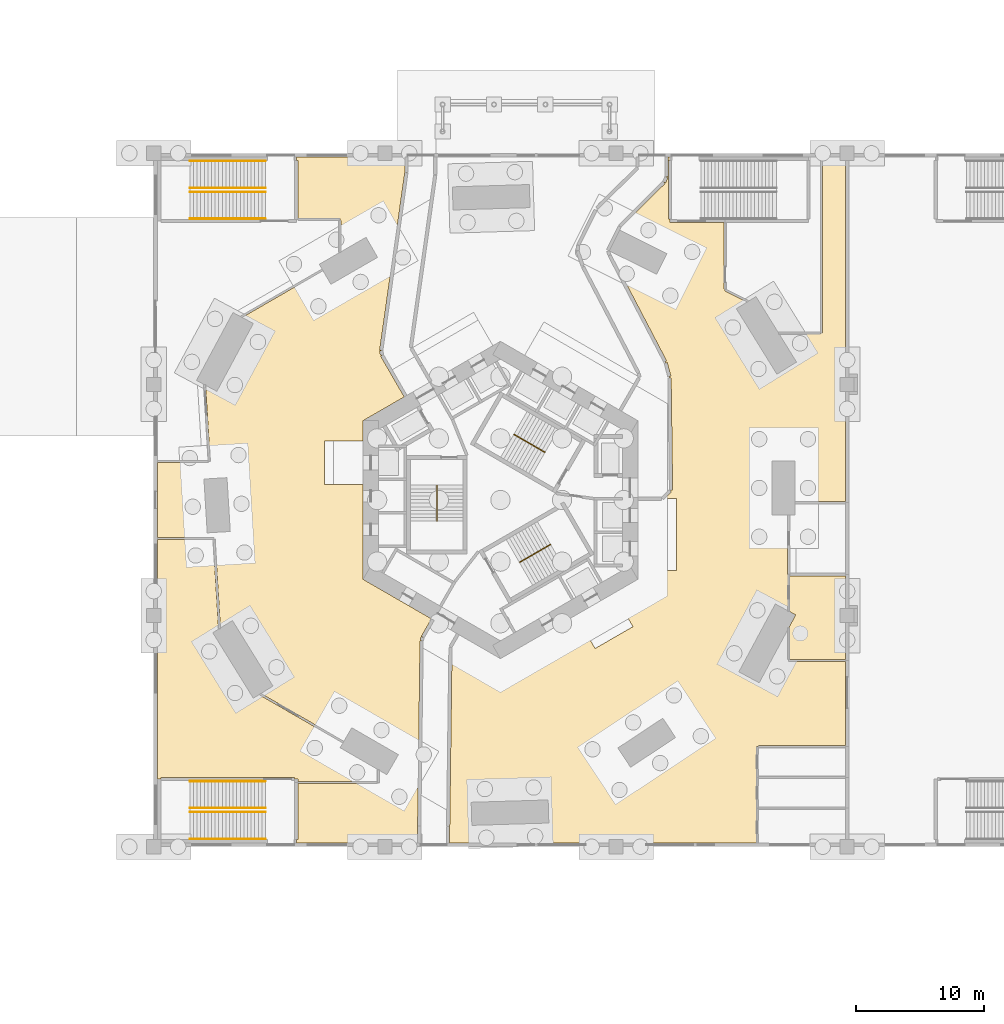
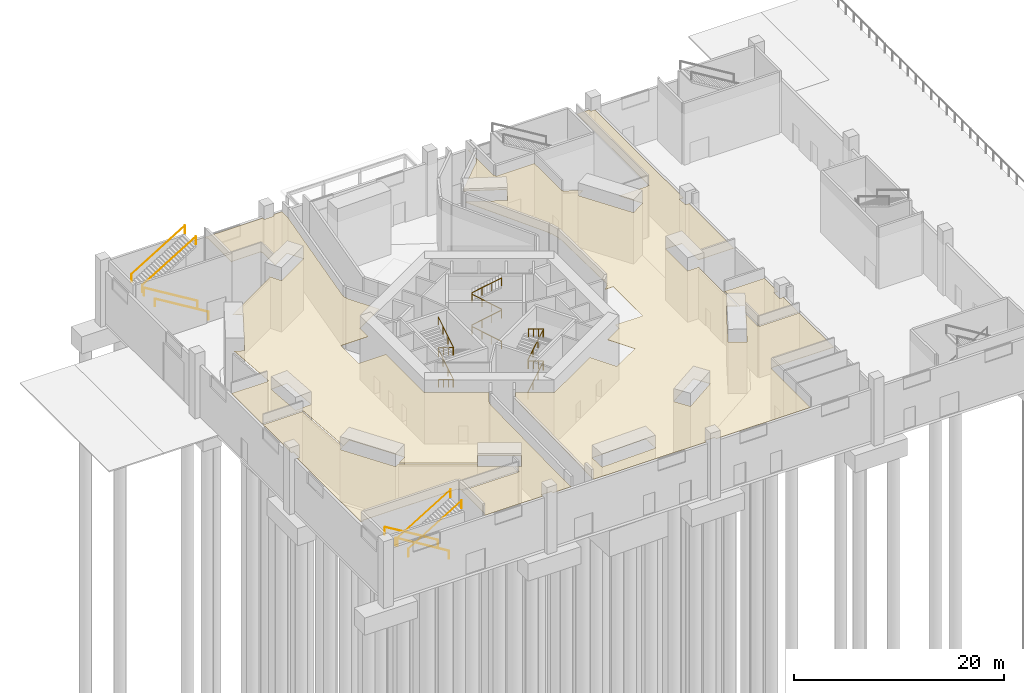
# One storey, part 14 of 16: 11 railings, 4 coverings.
"""IFC4 building model written with IfcOpenShell, lengths in metres."""

from ifc_helpers import new_model, si_unit, direction, frame, origin, origin_2d, place, context, subcontext, project, spatial, polyline, circle, outline, extrude, material, layer, layer_set, type_object, element, save


model = new_model("IFC4")

# Units and contexts
model_context = context("Model", 3, precision=1e-05, world=origin(), true_north=direction((0.0, 1.0)))
body_context = subcontext(model_context, "Body", "Model", "MODEL_VIEW")
ifc_project = project(units=[si_unit("LENGTHUNIT", "METRE"), si_unit("AREAUNIT", "SQUARE_METRE"), si_unit("VOLUMEUNIT", "CUBIC_METRE"), si_unit("PLANEANGLEUNIT", "RADIAN"), si_unit("MASSUNIT", "GRAM", prefix="KILO")], contexts=[model_context])

# Site, building, storey
site_placement = place(None, origin())
site = spatial("IfcSite", under=ifc_project, at=site_placement, CompositionType="ELEMENT")
building_placement = place(site_placement, origin())
building = spatial("IfcBuilding", under=site, at=building_placement, Name="Vanh Sen Convention Tower", CompositionType="ELEMENT")
storey_placement = place(building_placement, origin())
storey = spatial("IfcBuildingStorey", under=building, at=storey_placement, Name="L00", CompositionType="ELEMENT", Elevation=0.0)

# Railings
ifc_material_1 = material(Name="Stainless steel", Category="steel")
railing_type_1 = type_object("IfcRailingType", Name="Podium handrail 900", PredefinedType="HANDRAIL", material=ifc_material_1)
for number, where, name in (
    (1, (-18.300048828125, 21.89990234375, 0.17041015625), "Handrail PS5 L00"),
    (2, (-18.300048828125, 24.0, 0.17041015625), "Handrail PS5 L00"),
):
    element("IfcRailing", number, at=place(storey_placement, frame(where)), inside=storey, type_object=railing_type_1, Name=name, PredefinedType="HANDRAIL", context=body_context, shape_type="SweptSolid", body=[
        extrude(circle(Radius=0.02392578125, at=origin_2d()), frame((0.0, 0.0, 0.8759765625), z_axis=(-0.854164310681, 0.0, 0.520003202259), x_axis=(0.0, -1.0, 0.0)), (0.0, 0.0, 1.0), 6.8837890625),
        extrude(circle(Radius=0.02099609375, at=origin_2d()), origin(), (0.0, 0.0, 1.0), 0.851806640625),
        extrude(circle(Radius=0.02099609375, at=origin_2d()), frame((-5.8798828125, 0.0, 3.57958984375)), (0.0, 0.0, 1.0), 0.851806640625),
    ])
for number, where, name in (
    (3, (-24.179931640625, 26.39990234375, 3.92041015625), "Handrail PS5 L00"),
    (4, (-24.179931640625, 24.300048828125, 3.92041015625), "Handrail PS5 L00"),
):
    element("IfcRailing", number, at=place(storey_placement, frame(where)), inside=storey, type_object=railing_type_1, Name=name, PredefinedType="HANDRAIL", context=body_context, shape_type="SweptSolid", body=[
        extrude(circle(Radius=0.02392578125, at=origin_2d()), frame((0.0, 0.0, 0.8759765625), z_axis=(0.854164310681, 0.0, 0.520003202259), x_axis=(0.0, 1.0, 0.0)), (0.0, 0.0, 1.0), 6.8837890625),
        extrude(circle(Radius=0.02099609375, at=origin_2d()), origin(), (0.0, 0.0, 1.0), 0.851806640625),
        extrude(circle(Radius=0.02099609375, at=origin_2d()), frame((5.8798828125, 0.0, 3.57958984375)), (0.0, 0.0, 1.0), 0.851806640625),
    ])
for number, where, name in (
    (5, (-18.300048828125, -21.89990234375, 0.17041015625), "Handrail PS6 L00"),
    (6, (-18.300048828125, -24.0, 0.17041015625), "Handrail PS6 L00"),
):
    element("IfcRailing", number, at=place(storey_placement, frame(where)), inside=storey, type_object=railing_type_1, Name=name, PredefinedType="HANDRAIL", context=body_context, shape_type="SweptSolid", body=[
        extrude(circle(Radius=0.02392578125, at=origin_2d()), frame((0.0, 0.0, 0.8759765625), z_axis=(-0.854164310681, 0.0, 0.520003202259), x_axis=(0.0, -1.0, 0.0)), (0.0, 0.0, 1.0), 6.8837890625),
        extrude(circle(Radius=0.02099609375, at=origin_2d()), origin(), (0.0, 0.0, 1.0), 0.851806640625),
        extrude(circle(Radius=0.02099609375, at=origin_2d()), frame((-5.8798828125, 0.0, 3.57958984375)), (0.0, 0.0, 1.0), 0.851806640625),
    ])
for number, where, name in (
    (7, (-24.179931640625, -26.39990234375, 3.92041015625), "Handrail PS6 L00"),
    (8, (-24.179931640625, -24.300048828125, 3.92041015625), "Handrail PS6 L00"),
):
    element("IfcRailing", number, at=place(storey_placement, frame(where)), inside=storey, type_object=railing_type_1, Name=name, PredefinedType="HANDRAIL", context=body_context, shape_type="SweptSolid", body=[
        extrude(circle(Radius=0.02392578125, at=origin_2d()), frame((0.0, 0.0, 0.8759765625), z_axis=(0.854164310681, 0.0, 0.520003202259), x_axis=(0.0, 1.0, 0.0)), (0.0, 0.0, 1.0), 6.8837890625),
        extrude(circle(Radius=0.02099609375, at=origin_2d()), origin(), (0.0, 0.0, 1.0), 0.851806640625),
        extrude(circle(Radius=0.02099609375, at=origin_2d()), frame((5.8798828125, 0.0, 3.57958984375)), (0.0, 0.0, 1.0), 0.851806640625),
    ])
ifc_material_2 = material(Name="Stainless steel handrail", Category="steel")
railing_type_2 = type_object("IfcRailingType", Name="Stair handrail 900", PredefinedType="HANDRAIL", material=ifc_material_2)
railing_1_placement = place(storey_placement, frame((3.45849609375, 3.690185546875, 0.17041015625)))
element("IfcRailing", 9, at=railing_1_placement, inside=storey, type_object=railing_type_2, Name="Stair handrail ST1 L00", PredefinedType="HANDRAIL", context=body_context, shape_type="SweptSolid", body=[
    extrude(circle(Radius=0.02392578125, at=origin_2d()), frame((0.0, 0.0, 0.8759765625), z_axis=(-0.739729483776, 0.427064927504, 0.520015229131), x_axis=(-0.49998411664, -0.866034573852, 0.0)), (0.0, 0.0, 1.0), 3.278076171875),
    extrude(circle(Radius=0.02392578125, at=origin_2d()), frame((-2.4248046875, 1.39990234375, 2.58056640625), z_axis=(0.497188445666, 0.867642581652, 0.0), x_axis=(-0.867642581652, 0.497188445666, 0.0)), (0.0, 0.0, 1.0), 0.050048828125),
    extrude(circle(Radius=0.02392578125, at=origin_2d()), frame((-2.39990234375, 1.443359375, 2.58056640625), z_axis=(0.0, 0.0, 1.0), x_axis=(1.0, 0.0, 0.0)), (0.0, 0.0, 1.0), 0.17041015625),
    extrude(circle(Radius=0.02392578125, at=origin_2d()), frame((-2.39990234375, 1.443359375, 2.7509765625), z_axis=(0.73970595387, -0.427125820121, 0.519998688071), x_axis=(0.500049511043, 0.865996816683, 0.0)), (0.0, 0.0, 1.0), 3.278076171875),
    extrude(circle(Radius=0.02392578125, at=origin_2d()), frame((0.02490234375, 0.043212890625, 4.45556640625), z_axis=(-0.499298623879, -0.866429964967, 0.0), x_axis=(0.866429964967, -0.499298623879, 0.0)), (0.0, 0.0, 1.0), 0.0498046875),
    extrude(circle(Radius=0.02392578125, at=origin_2d()), frame((0.0, 0.0, 4.45556640625), z_axis=(0.0, 0.0, 1.0), x_axis=(1.0, 0.0, 0.0)), (0.0, 0.0, 1.0), 0.17041015625),
    extrude(circle(Radius=0.02392578125, at=origin_2d()), frame((0.0, 0.0, 4.6259765625), z_axis=(-0.739729483776, 0.427064927504, 0.520015229131), x_axis=(-0.49998411664, -0.866034573852, 0.0)), (0.0, 0.0, 1.0), 3.278076171875),
    extrude(circle(Radius=0.02392578125, at=origin_2d()), frame((-2.4248046875, 1.39990234375, 6.33056640625), z_axis=(0.497188445666, 0.867642581652, 0.0), x_axis=(-0.867642581652, 0.497188445666, 0.0)), (0.0, 0.0, 1.0), 0.050048828125),
    extrude(circle(Radius=0.02392578125, at=origin_2d()), frame((-2.39990234375, 1.443359375, 6.33056640625), z_axis=(0.0, 0.0, 1.0), x_axis=(1.0, 0.0, 0.0)), (0.0, 0.0, 1.0), 0.17041015625),
    extrude(circle(Radius=0.02392578125, at=origin_2d()), frame((-2.39990234375, 1.443359375, 6.5009765625), z_axis=(0.73970595387, -0.427125820121, 0.519998688071), x_axis=(0.500049511043, 0.865996816683, 0.0)), (0.0, 0.0, 1.0), 3.278076171875),
    extrude(circle(Radius=0.02099609375, at=origin_2d()), origin(), (0.0, 0.0, 1.0), 0.851806640625),
    extrude(circle(Radius=0.02099609375, at=origin_2d()), frame((-0.808349609375, 0.466552734375, 0.568115234375)), (0.0, 0.0, 1.0), 0.851806640625),
    extrude(circle(Radius=0.02099609375, at=origin_2d()), frame((-1.616455078125, 0.933349609375, 1.136474609375)), (0.0, 0.0, 1.0), 0.851806640625),
    extrude(circle(Radius=0.02099609375, at=origin_2d()), frame((-2.4248046875, 1.39990234375, 1.70458984375)), (0.0, 0.0, 1.0), 0.851806640625),
    extrude(circle(Radius=0.02099609375, at=origin_2d()), frame((-2.39990234375, 1.443359375, 1.70458984375)), (0.0, 0.0, 1.0), 0.851806640625),
    extrude(circle(Radius=0.02099609375, at=origin_2d()), frame((-2.39990234375, 1.443359375, 1.875)), (0.0, 0.0, 1.0), 0.851806640625),
    extrude(circle(Radius=0.02099609375, at=origin_2d()), frame((-1.591552734375, 0.9765625, 2.443115234375)), (0.0, 0.0, 1.0), 0.851806640625),
    extrude(circle(Radius=0.02099609375, at=origin_2d()), frame((-0.783447265625, 0.510009765625, 3.011474609375)), (0.0, 0.0, 1.0), 0.851806640625),
    extrude(circle(Radius=0.02099609375, at=origin_2d()), frame((0.02490234375, 0.043212890625, 3.57958984375)), (0.0, 0.0, 1.0), 0.851806640625),
    extrude(circle(Radius=0.02099609375, at=origin_2d()), frame((0.0, 0.0, 3.57958984375)), (0.0, 0.0, 1.0), 0.851806640625),
    extrude(circle(Radius=0.02099609375, at=origin_2d()), frame((0.0, 0.0, 3.75)), (0.0, 0.0, 1.0), 0.851806640625),
    extrude(circle(Radius=0.02099609375, at=origin_2d()), frame((-0.808349609375, 0.466552734375, 4.318115234375)), (0.0, 0.0, 1.0), 0.851806640625),
    extrude(circle(Radius=0.02099609375, at=origin_2d()), frame((-1.616455078125, 0.933349609375, 4.886474609375)), (0.0, 0.0, 1.0), 0.851806640625),
    extrude(circle(Radius=0.02099609375, at=origin_2d()), frame((-2.4248046875, 1.39990234375, 5.45458984375)), (0.0, 0.0, 1.0), 0.851806640625),
    extrude(circle(Radius=0.02099609375, at=origin_2d()), frame((-2.39990234375, 1.443359375, 5.45458984375)), (0.0, 0.0, 1.0), 0.851806640625),
    extrude(circle(Radius=0.02099609375, at=origin_2d()), frame((-2.39990234375, 1.443359375, 5.625)), (0.0, 0.0, 1.0), 0.851806640625),
    extrude(circle(Radius=0.02099609375, at=origin_2d()), frame((-1.591552734375, 0.9765625, 6.193115234375)), (0.0, 0.0, 1.0), 0.851806640625),
    extrude(circle(Radius=0.02099609375, at=origin_2d()), frame((-0.783447265625, 0.510009765625, 6.761474609375)), (0.0, 0.0, 1.0), 0.851806640625),
    extrude(circle(Radius=0.02099609375, at=origin_2d()), frame((0.02490234375, 0.043212890625, 7.32958984375)), (0.0, 0.0, 1.0), 0.851806640625),
])
railing_2_placement = place(storey_placement, frame((-4.925048828125, 1.14990234375, 0.17041015625)))
element("IfcRailing", 10, at=railing_2_placement, inside=storey, type_object=railing_type_2, Name="Stair handrail ST2 L00", PredefinedType="HANDRAIL", context=body_context, shape_type="SweptSolid", body=[
    extrude(circle(Radius=0.02392578125, at=origin_2d()), frame((0.0, 0.0, 0.8759765625), z_axis=(0.0, -0.854149651119, 0.520027281489), x_axis=(1.0, 0.0, 0.0)), (0.0, 0.0, 1.0), 3.27783203125),
    extrude(circle(Radius=0.02392578125, at=origin_2d()), frame((0.0, -2.7998046875, 2.58056640625), z_axis=(-1.0, 0.0, 0.0), x_axis=(0.0, -1.0, 0.0)), (0.0, 0.0, 1.0), 0.050048828125),
    extrude(circle(Radius=0.02392578125, at=origin_2d()), frame((-0.050048828125, -2.7998046875, 2.58056640625), z_axis=(0.0, 0.0, 1.0), x_axis=(1.0, 0.0, 0.0)), (0.0, 0.0, 1.0), 0.17041015625),
    extrude(circle(Radius=0.02392578125, at=origin_2d()), frame((-0.050048828125, -2.7998046875, 2.7509765625), z_axis=(0.0, 0.854149651119, 0.520027281489), x_axis=(-1.0, 0.0, 0.0)), (0.0, 0.0, 1.0), 3.27783203125),
    extrude(circle(Radius=0.02392578125, at=origin_2d()), frame((-0.050048828125, 0.0, 4.45556640625), z_axis=(1.0, 0.0, 0.0), x_axis=(0.0, 1.0, 0.0)), (0.0, 0.0, 1.0), 0.050048828125),
    extrude(circle(Radius=0.02392578125, at=origin_2d()), frame((0.0, 0.0, 4.45556640625), z_axis=(0.0, 0.0, 1.0), x_axis=(1.0, 0.0, 0.0)), (0.0, 0.0, 1.0), 0.17041015625),
    extrude(circle(Radius=0.02392578125, at=origin_2d()), frame((0.0, 0.0, 4.6259765625), z_axis=(0.0, -0.854149651119, 0.520027281489), x_axis=(1.0, 0.0, 0.0)), (0.0, 0.0, 1.0), 3.27783203125),
    extrude(circle(Radius=0.02392578125, at=origin_2d()), frame((0.0, -2.7998046875, 6.33056640625), z_axis=(-1.0, 0.0, 0.0), x_axis=(0.0, -1.0, 0.0)), (0.0, 0.0, 1.0), 0.050048828125),
    extrude(circle(Radius=0.02392578125, at=origin_2d()), frame((-0.050048828125, -2.7998046875, 6.33056640625), z_axis=(0.0, 0.0, 1.0), x_axis=(1.0, 0.0, 0.0)), (0.0, 0.0, 1.0), 0.17041015625),
    extrude(circle(Radius=0.02392578125, at=origin_2d()), frame((-0.050048828125, -2.7998046875, 6.5009765625), z_axis=(0.0, 0.854149651119, 0.520027281489), x_axis=(-1.0, 0.0, 0.0)), (0.0, 0.0, 1.0), 3.27783203125),
    extrude(circle(Radius=0.02099609375, at=origin_2d()), origin(), (0.0, 0.0, 1.0), 0.851806640625),
    extrude(circle(Radius=0.02099609375, at=origin_2d()), frame((0.0, -0.933349609375, 0.568115234375)), (0.0, 0.0, 1.0), 0.851806640625),
    extrude(circle(Radius=0.02099609375, at=origin_2d()), frame((0.0, -1.866455078125, 1.136474609375)), (0.0, 0.0, 1.0), 0.851806640625),
    extrude(circle(Radius=0.02099609375, at=origin_2d()), frame((0.0, -2.7998046875, 1.70458984375)), (0.0, 0.0, 1.0), 0.851806640625),
    extrude(circle(Radius=0.02099609375, at=origin_2d()), frame((-0.050048828125, -2.7998046875, 1.70458984375)), (0.0, 0.0, 1.0), 0.851806640625),
    extrude(circle(Radius=0.02099609375, at=origin_2d()), frame((-0.050048828125, -2.7998046875, 1.875)), (0.0, 0.0, 1.0), 0.851806640625),
    extrude(circle(Radius=0.02099609375, at=origin_2d()), frame((-0.050048828125, -1.866455078125, 2.443115234375)), (0.0, 0.0, 1.0), 0.851806640625),
    extrude(circle(Radius=0.02099609375, at=origin_2d()), frame((-0.050048828125, -0.933349609375, 3.011474609375)), (0.0, 0.0, 1.0), 0.851806640625),
    extrude(circle(Radius=0.02099609375, at=origin_2d()), frame((-0.050048828125, 0.0, 3.57958984375)), (0.0, 0.0, 1.0), 0.851806640625),
    extrude(circle(Radius=0.02099609375, at=origin_2d()), frame((0.0, 0.0, 3.57958984375)), (0.0, 0.0, 1.0), 0.851806640625),
    extrude(circle(Radius=0.02099609375, at=origin_2d()), frame((0.0, 0.0, 3.75)), (0.0, 0.0, 1.0), 0.851806640625),
    extrude(circle(Radius=0.02099609375, at=origin_2d()), frame((0.0, -0.933349609375, 4.318115234375)), (0.0, 0.0, 1.0), 0.851806640625),
    extrude(circle(Radius=0.02099609375, at=origin_2d()), frame((0.0, -1.866455078125, 4.886474609375)), (0.0, 0.0, 1.0), 0.851806640625),
    extrude(circle(Radius=0.02099609375, at=origin_2d()), frame((0.0, -2.7998046875, 5.45458984375)), (0.0, 0.0, 1.0), 0.851806640625),
    extrude(circle(Radius=0.02099609375, at=origin_2d()), frame((-0.050048828125, -2.7998046875, 5.45458984375)), (0.0, 0.0, 1.0), 0.851806640625),
    extrude(circle(Radius=0.02099609375, at=origin_2d()), frame((-0.050048828125, -2.7998046875, 5.625)), (0.0, 0.0, 1.0), 0.851806640625),
    extrude(circle(Radius=0.02099609375, at=origin_2d()), frame((-0.050048828125, -1.866455078125, 6.193115234375)), (0.0, 0.0, 1.0), 0.851806640625),
    extrude(circle(Radius=0.02099609375, at=origin_2d()), frame((-0.050048828125, -0.933349609375, 6.761474609375)), (0.0, 0.0, 1.0), 0.851806640625),
    extrude(circle(Radius=0.02099609375, at=origin_2d()), frame((-0.050048828125, 0.0, 7.32958984375)), (0.0, 0.0, 1.0), 0.851806640625),
])
railing_3_placement = place(storey_placement, frame((1.466552734375, -4.840087890625, 0.17041015625)))
element("IfcRailing", 11, at=railing_3_placement, inside=storey, type_object=railing_type_2, Name="Stair handrail ST3 L00", PredefinedType="HANDRAIL", context=body_context, shape_type="SweptSolid", body=[
    extrude(circle(Radius=0.02392578125, at=origin_2d()), frame((0.0, 0.0, 0.8759765625), z_axis=(0.739729483776, 0.427064927504, 0.520015229131), x_axis=(-0.49998411664, 0.866034573852, 0.0)), (0.0, 0.0, 1.0), 3.278076171875),
    extrude(circle(Radius=0.02392578125, at=origin_2d()), frame((2.4248046875, 1.39990234375, 2.58056640625), z_axis=(0.502959906984, -0.86430974307, 0.0), x_axis=(0.86430974307, 0.502959906984, 0.0)), (0.0, 0.0, 1.0), 0.050048828125),
    extrude(circle(Radius=0.02392578125, at=origin_2d()), frame((2.449951171875, 1.356689453125, 2.58056640625), z_axis=(0.0, 0.0, 1.0), x_axis=(1.0, 0.0, 0.0)), (0.0, 0.0, 1.0), 0.17041015625),
    extrude(circle(Radius=0.02392578125, at=origin_2d()), frame((2.449951171875, 1.356689453125, 2.7509765625), z_axis=(-0.73970595387, -0.427125820121, 0.519998688071), x_axis=(0.500049511043, -0.865996816683, 0.0)), (0.0, 0.0, 1.0), 3.278076171875),
    extrude(circle(Radius=0.02392578125, at=origin_2d()), frame((0.025146484375, -0.04345703125, 4.45556640625), z_axis=(-0.500844580232, 0.86553723574, 0.0), x_axis=(-0.86553723574, -0.500844580232, 0.0)), (0.0, 0.0, 1.0), 0.05029296875),
    extrude(circle(Radius=0.02392578125, at=origin_2d()), frame((0.0, 0.0, 4.45556640625), z_axis=(0.0, 0.0, 1.0), x_axis=(1.0, 0.0, 0.0)), (0.0, 0.0, 1.0), 0.17041015625),
    extrude(circle(Radius=0.02392578125, at=origin_2d()), frame((0.0, 0.0, 4.6259765625), z_axis=(0.739729483776, 0.427064927504, 0.520015229131), x_axis=(-0.49998411664, 0.866034573852, 0.0)), (0.0, 0.0, 1.0), 3.278076171875),
    extrude(circle(Radius=0.02392578125, at=origin_2d()), frame((2.4248046875, 1.39990234375, 6.33056640625), z_axis=(0.502959906984, -0.86430974307, 0.0), x_axis=(0.86430974307, 0.502959906984, 0.0)), (0.0, 0.0, 1.0), 0.050048828125),
    extrude(circle(Radius=0.02392578125, at=origin_2d()), frame((2.449951171875, 1.356689453125, 6.33056640625), z_axis=(0.0, 0.0, 1.0), x_axis=(1.0, 0.0, 0.0)), (0.0, 0.0, 1.0), 0.17041015625),
    extrude(circle(Radius=0.02392578125, at=origin_2d()), frame((2.449951171875, 1.356689453125, 6.5009765625), z_axis=(-0.73970595387, -0.427125820121, 0.519998688071), x_axis=(0.500049511043, -0.865996816683, 0.0)), (0.0, 0.0, 1.0), 3.278076171875),
    extrude(circle(Radius=0.02099609375, at=origin_2d()), origin(), (0.0, 0.0, 1.0), 0.851806640625),
    extrude(circle(Radius=0.02099609375, at=origin_2d()), frame((0.808349609375, 0.466552734375, 0.568115234375)), (0.0, 0.0, 1.0), 0.851806640625),
    extrude(circle(Radius=0.02099609375, at=origin_2d()), frame((1.616455078125, 0.933349609375, 1.136474609375)), (0.0, 0.0, 1.0), 0.851806640625),
    extrude(circle(Radius=0.02099609375, at=origin_2d()), frame((2.4248046875, 1.39990234375, 1.70458984375)), (0.0, 0.0, 1.0), 0.851806640625),
    extrude(circle(Radius=0.02099609375, at=origin_2d()), frame((2.449951171875, 1.356689453125, 1.70458984375)), (0.0, 0.0, 1.0), 0.851806640625),
    extrude(circle(Radius=0.02099609375, at=origin_2d()), frame((2.449951171875, 1.356689453125, 1.875)), (0.0, 0.0, 1.0), 0.851806640625),
    extrude(circle(Radius=0.02099609375, at=origin_2d()), frame((1.6416015625, 0.889892578125, 2.443115234375)), (0.0, 0.0, 1.0), 0.851806640625),
    extrude(circle(Radius=0.02099609375, at=origin_2d()), frame((0.83349609375, 0.42333984375, 3.011474609375)), (0.0, 0.0, 1.0), 0.851806640625),
    extrude(circle(Radius=0.02099609375, at=origin_2d()), frame((0.025146484375, -0.04345703125, 3.57958984375)), (0.0, 0.0, 1.0), 0.851806640625),
    extrude(circle(Radius=0.02099609375, at=origin_2d()), frame((0.0, 0.0, 3.57958984375)), (0.0, 0.0, 1.0), 0.851806640625),
    extrude(circle(Radius=0.02099609375, at=origin_2d()), frame((0.0, 0.0, 3.75)), (0.0, 0.0, 1.0), 0.851806640625),
    extrude(circle(Radius=0.02099609375, at=origin_2d()), frame((0.808349609375, 0.466552734375, 4.318115234375)), (0.0, 0.0, 1.0), 0.851806640625),
    extrude(circle(Radius=0.02099609375, at=origin_2d()), frame((1.616455078125, 0.933349609375, 4.886474609375)), (0.0, 0.0, 1.0), 0.851806640625),
    extrude(circle(Radius=0.02099609375, at=origin_2d()), frame((2.4248046875, 1.39990234375, 5.45458984375)), (0.0, 0.0, 1.0), 0.851806640625),
    extrude(circle(Radius=0.02099609375, at=origin_2d()), frame((2.449951171875, 1.356689453125, 5.45458984375)), (0.0, 0.0, 1.0), 0.851806640625),
    extrude(circle(Radius=0.02099609375, at=origin_2d()), frame((2.449951171875, 1.356689453125, 5.625)), (0.0, 0.0, 1.0), 0.851806640625),
    extrude(circle(Radius=0.02099609375, at=origin_2d()), frame((1.6416015625, 0.889892578125, 6.193115234375)), (0.0, 0.0, 1.0), 0.851806640625),
    extrude(circle(Radius=0.02099609375, at=origin_2d()), frame((0.83349609375, 0.42333984375, 6.761474609375)), (0.0, 0.0, 1.0), 0.851806640625),
    extrude(circle(Radius=0.02099609375, at=origin_2d()), frame((0.025146484375, -0.04345703125, 7.32958984375)), (0.0, 0.0, 1.0), 0.851806640625),
])

# Coverings
ifc_material_3 = material(Name="Mineral fibre tiles in a concealed grid")
ifc_layer = layer(ifc_material_3, 0.0400390625)
ifc_layer_set = layer_set([ifc_layer], Name="Mineral fibre tiles in a concealed grid")
covering_type = type_object("IfcCoveringType", Name="Suspended ceiling 600 x 600 tile", PredefinedType="CEILING", material=ifc_layer_set)
covering_1_placement = place(storey_placement, frame((0.0, 0.0, 5.9599609375)))
element("IfcCovering", 12, at=covering_1_placement, inside=storey, type_object=covering_type, Name="Suspended ceiling CL3 Cafe", PredefinedType="CEILING", context=body_context, shape_type="SweptSolid", body=[
    extrude(outline(polyline([(-22.37841796875, -3.08447265625), (-22.303466796875, -3.080078125), (-22.30859375, -3.0), (-22.30859375, -3.074951171875), (-26.699951171875, -3.074951171875), (-26.699951171875, -8.449951171875), (-26.449951171875, -8.449951171875), (-26.449951171875, -9.550048828125), (-26.699951171875, -9.550048828125), (-26.699951171875, -21.72509765625), (-26.43994140625, -21.72509765625), (-26.43994140625, -21.60009765625), (-16.0400390625, -21.60009765625), (-16.0400390625, -21.72509765625), (-16.02490234375, -21.72509765625), (-15.89990234375, -21.72509765625), (-15.77490234375, -21.72509765625), (-15.77490234375, -22.0), (-15.760009765625, -22.0), (-15.760009765625, -21.925048828125), (-9.580078125, -21.925048828125), (-9.580078125, -22.0), (-9.574951171875, -22.0), (-9.574951171875, -21.015380859375), (-9.5, -21.015380859375), (-9.5, -21.015380859375), (-12.482177734375, -19.293701171875), (-12.23193359375, -18.860595703125), (-12.23193359375, -18.860595703125), (-12.26953125, -18.925537109375), (-18.759521484375, -15.178466796875), (-18.721923828125, -15.113525390625), (-19.2451171875, -15.437255859375), (-22.402099609375, -10.3349609375), (-21.87939453125, -10.011474609375), (-21.87939453125, -10.011474609375), (-21.95458984375, -10.0166015625), (-22.37841796875, -3.08447265625)])), origin(), (0.0, 0.0, 1.0), 0.0400390625),
])
covering_2_placement = place(storey_placement, frame((0.0, 0.0, 5.9599609375)))
element("IfcCovering", 13, at=covering_2_placement, inside=storey, type_object=covering_type, Name="Suspended ceiling CL3 Security office", PredefinedType="CEILING", context=body_context, shape_type="SweptSolid", body=[
    extrude(outline(polyline([(22.52490234375, -8.656982421875), (22.449951171875, -8.656982421875), (22.449951171875, -8.656982421875), (22.991455078125, -8.947998046875), (22.449951171875, -9.95556640625), (22.52490234375, -9.95556640625), (22.52490234375, -12.419921875), (22.449951171875, -12.419921875), (22.449951171875, -12.425048828125), (26.860107421875, -12.425048828125), (26.860107421875, -12.5), (26.875, -12.5), (26.875, -9.550048828125), (26.449951171875, -9.550048828125), (26.449951171875, -8.449951171875), (26.875, -8.449951171875), (26.875, -5.800048828125), (26.860107421875, -5.800048828125), (26.860107421875, -5.89990234375), (22.550048828125, -5.89990234375), (22.550048828125, -5.800048828125), (22.52490234375, -5.800048828125), (22.52490234375, -8.656982421875)])), origin(), (0.0, 0.0, 1.0), 0.0400390625),
])
covering_3_placement = place(storey_placement, frame((0.0, 0.0, 5.9599609375)))
element("IfcCovering", 14, at=covering_3_placement, inside=storey, type_object=covering_type, Name="Suspended ceiling CL3 Grand foyer", PredefinedType="CEILING", context=body_context, shape_type="SweptSolid", body=[
    extrude(outline(polyline([(7.369384765625, -11.564453125), (5.869384765625, -8.966552734375), (0.0, -12.35546875), (-3.20654296875, -10.50390625), (-3.783935546875, -11.50439453125), (-3.76904296875, -11.50439453125), (-3.949951171875, -25.408935546875), (-4.074951171875, -25.407470703125), (-4.074951171875, -25.427490234375), (-3.949951171875, -25.427490234375), (-3.949951171875, -26.699951171875), (8.449951171875, -26.699951171875), (8.449951171875, -26.449951171875), (9.550048828125, -26.449951171875), (9.550048828125, -26.699951171875), (19.925048828125, -26.699951171875), (19.925048828125, -24.0), (19.925048828125, -21.60009765625), (19.925048828125, -19.199951171875), (20.0, -19.199951171875), (20.074951171875, -19.199951171875), (20.080078125, -19.199951171875), (20.080078125, -19.125), (26.860107421875, -19.125), (26.860107421875, -19.199951171875), (26.875, -19.199951171875), (26.875, -12.5), (26.860107421875, -12.5), (26.860107421875, -12.574951171875), (22.449951171875, -12.574951171875), (22.449951171875, -12.5), (22.449951171875, -12.425048828125), (22.449951171875, -12.419921875), (22.375, -12.419921875), (22.375, -10.09521484375), (20.1513671875, -14.2333984375), (18.56591796875, -13.38134765625), (21.40576171875, -8.095947265625), (22.375, -8.61669921875), (22.375, -5.800048828125), (22.35009765625, -5.800048828125), (22.35009765625, -1.1630859375), (22.449951171875, -1.1630859375), (22.449951171875, -1.162841796875), (21.14990234375, -1.162841796875), (21.14990234375, 3.037109375), (22.949951171875, 3.037109375), (22.949951171875, -0.10009765625), (26.860107421875, -0.10009765625), (26.860107421875, -0.199951171875), (26.875, -0.199951171875), (26.875, 8.449951171875), (26.449951171875, 8.449951171875), (26.449951171875, 9.550048828125), (26.875, 9.550048828125), (26.875, 26.449951171875), (26.449951171875, 26.449951171875), (26.449951171875, 26.699951171875), (25.074951171875, 26.699951171875), (25.074951171875, 13.0), (25.0, 13.0), (24.925048828125, 13.0), (24.919921875, 13.0), (24.919921875, 12.925048828125), (21.706787109375, 12.925048828125), (23.058349609375, 10.740966796875), (21.527587890625, 9.793701171875), (18.370361328125, 14.89599609375), (19.217529296875, 15.420166015625), (17.466552734375, 16.29345703125), (17.5, 16.360595703125), (17.5, 16.42041015625), (17.425048828125, 16.42041015625), (17.425048828125, 21.5849609375), (17.5, 21.5849609375), (17.5, 21.60009765625), (13.199951171875, 21.60009765625), (13.199951171875, 21.72509765625), (13.199951171875, 21.85009765625), (13.199951171875, 21.864990234375), (13.074951171875, 21.864990234375), (13.074951171875, 26.43994140625), (13.199951171875, 26.43994140625), (13.199951171875, 26.699951171875), (13.050048828125, 26.699951171875), (13.050048828125, 25.175537109375), (12.925048828125, 25.175537109375), (12.909423828125, 25.138427734375), (13.02490234375, 25.090576171875), (12.867919921875, 24.71240234375), (12.75244140625, 24.760498046875), (12.72412109375, 24.732421875), (12.81201171875, 24.6435546875), (9.3916015625, 21.2451171875), (9.3974609375, 21.241943359375), (9.284423828125, 21.015380859375), (12.958251953125, 19.18359375), (12.1552734375, 17.572509765625), (8.516845703125, 19.38671875), (8.610107421875, 19.107421875), (8.611572265625, 19.10791015625), (12.9365234375, 10.830078125), (12.825439453125, 10.77197265625), (12.87060546875, 10.656494140625), (12.990966796875, 10.68896484375), (13.2666015625, 9.66162109375), (13.14599609375, 9.62890625), (13.1650390625, 9.490478515625), (13.2900390625, 9.491943359375), (13.406005859375, 0.77099609375), (13.281005859375, 0.76953125), (13.22509765625, 0.71240234375), (13.31396484375, 0.625), (12.7958984375, 0.10009765625), (13.699951171875, 0.10009765625), (13.699951171875, -5.5), (10.699951171875, -5.5), (10.699951171875, -6.177490234375), (8.81396484375, -7.2666015625), (10.31396484375, -9.864501953125), (7.369384765625, -11.564453125)]), holes=[polyline([(-2.227294921875, -25.339599609375), (3.77001953125, -25.15625), (3.715087890625, -23.357177734375), (-2.2822265625, -23.540283203125), (-2.227294921875, -25.339599609375)]), polyline([(10.13427734375, -20.814208984375), (13.636474609375, -18.495849609375), (12.64306640625, -16.994873046875), (9.140625, -19.31298828125), (10.13427734375, -20.814208984375)])]), origin(), (0.0, 0.0, 1.0), 0.0400390625),
])
covering_4_placement = place(storey_placement, frame((0.0, 0.0, 5.9599609375)))
element("IfcCovering", 15, at=covering_4_placement, inside=storey, type_object=covering_type, Name="Suspended ceiling CL3 Foyer west", PredefinedType="CEILING", context=body_context, shape_type="SweptSolid", body=[
    extrude(outline(polyline([(-12.23193359375, -18.860595703125), (-12.23193359375, -18.860595703125), (-11.58203125, -17.735107421875), (-7.944580078125, -19.8349609375), (-8.8447265625, -21.393798828125), (-9.425048828125, -21.058837890625), (-9.425048828125, -22.0), (-9.5, -22.0), (-9.574951171875, -22.0), (-9.580078125, -22.0), (-9.580078125, -22.074951171875), (-15.760009765625, -22.074951171875), (-15.760009765625, -22.0), (-15.77490234375, -22.0), (-15.77490234375, -26.43994140625), (-15.89990234375, -26.43994140625), (-15.89990234375, -26.699951171875), (-9.550048828125, -26.699951171875), (-9.550048828125, -26.449951171875), (-8.449951171875, -26.449951171875), (-8.449951171875, -26.699951171875), (-6.449951171875, -26.699951171875), (-6.449951171875, -25.396484375), (-6.324951171875, -25.396484375), (-6.324951171875, -25.388916015625), (-6.449951171875, -25.387451171875), (-6.261962890625, -10.97412109375), (-6.136962890625, -10.9755859375), (-6.12646484375, -10.93701171875), (-6.2470703125, -10.904052734375), (-6.180908203125, -10.66455078125), (-6.060546875, -10.697509765625), (-6.04052734375, -10.6630859375), (-6.14892578125, -10.6005859375), (-5.3720703125, -9.25390625), (-10.699951171875, -6.177490234375), (-10.699951171875, 1.199951171875), (-13.699951171875, 1.199951171875), (-13.699951171875, 4.60009765625), (-10.699951171875, 4.60009765625), (-10.699951171875, 6.177490234375), (-7.493408203125, 8.029052734375), (-9.321044921875, 11.194091796875), (-9.21240234375, 11.256591796875), (-9.219970703125, 11.2958984375), (-9.343017578125, 11.27197265625), (-9.406494140625, 11.60302734375), (-9.283935546875, 11.62646484375), (-9.278564453125, 11.666015625), (-9.402099609375, 11.68359375), (-7.448974609375, 25.49658203125), (-7.324951171875, 25.47900390625), (-7.324951171875, 25.4990234375), (-7.449951171875, 25.4990234375), (-7.449951171875, 26.699951171875), (-8.449951171875, 26.699951171875), (-8.449951171875, 26.449951171875), (-9.550048828125, 26.449951171875), (-9.550048828125, 26.699951171875), (-15.89990234375, 26.699951171875), (-15.89990234375, 26.43994140625), (-15.77490234375, 26.43994140625), (-15.77490234375, 21.85009765625), (-15.760009765625, 21.85009765625), (-15.760009765625, 21.925048828125), (-12.5, 21.925048828125), (-12.5, 21.85009765625), (-12.5, 21.77490234375), (-12.5, 21.77001953125), (-12.425048828125, 21.77001953125), (-12.425048828125, 19.326904296875), (-10.468017578125, 20.45654296875), (-9.568115234375, 18.897705078125), (-13.205322265625, 16.7978515625), (-13.85546875, 17.923583984375), (-13.85546875, 17.923583984375), (-13.818115234375, 17.8583984375), (-20.123291015625, 14.21826171875), (-19.245361328125, 13.74658203125), (-22.085205078125, 8.461181640625), (-22.963134765625, 8.932861328125), (-22.6005859375, 3.00439453125), (-22.675537109375, 3.0), (-22.75048828125, 2.99560546875), (-22.75048828125, 3.0), (-22.755615234375, 3.0), (-22.755615234375, 2.925048828125), (-26.699951171875, 2.925048828125), (-26.699951171875, -2.925048828125), (-22.30859375, -2.925048828125), (-22.30859375, -3.0), (-22.303466796875, -3.080078125), (-22.22900390625, -3.075439453125), (-21.8076171875, -9.966796875), (-20.87158203125, -9.3876953125), (-17.71435546875, -14.489990234375), (-18.6494140625, -15.068603515625), (-12.194580078125, -18.79541015625), (-12.23193359375, -18.860595703125)]), holes=[polyline([(-22.836181640625, -2.5615234375), (-21.03955078125, -2.45166015625), (-21.2958984375, 1.740478515625), (-23.092529296875, 1.630615234375), (-22.836181640625, -2.5615234375)])]), origin(), (0.0, 0.0, 1.0), 0.0400390625),
])

save(model, "model.ifc")
